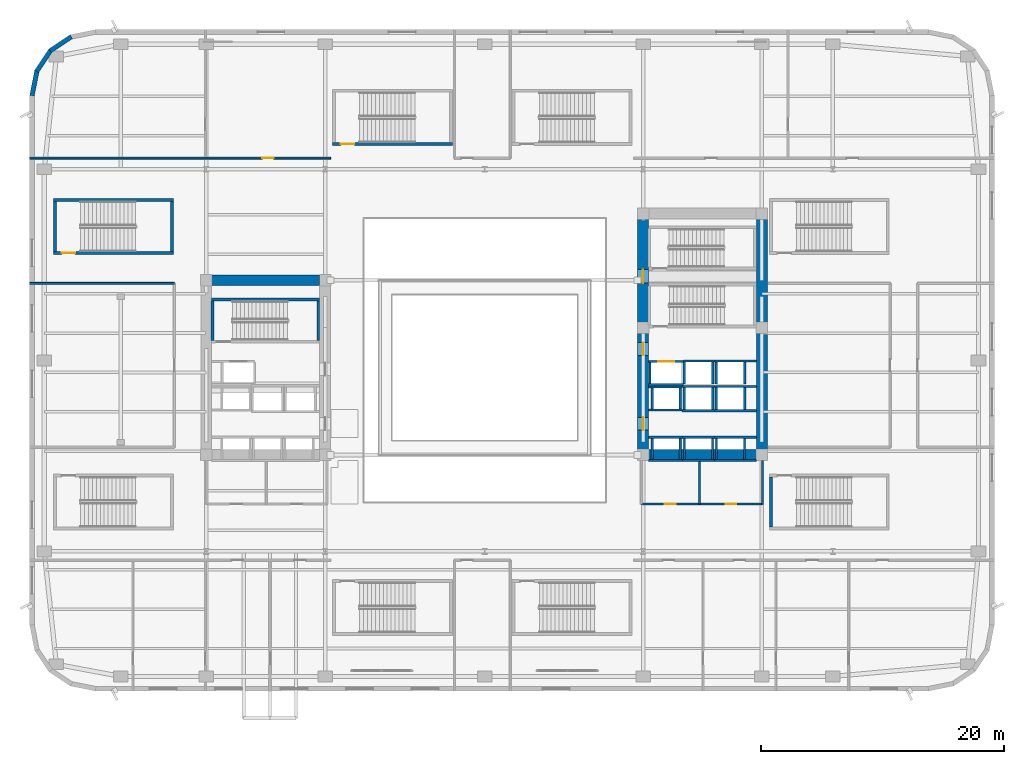
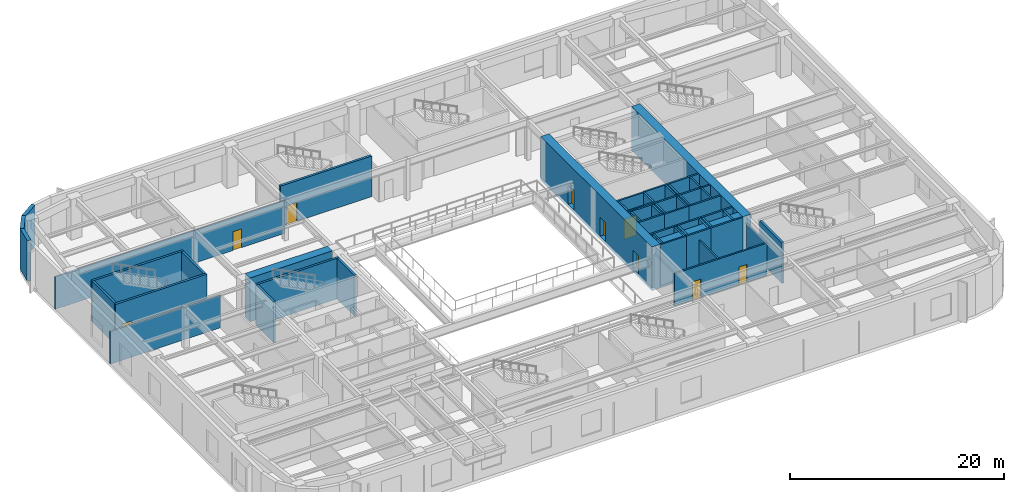
# One storey, part 9 of 24: 54 walls, 9 doors, 9 openings.
"""IFC4 building model written with IfcOpenShell, lengths in metres."""

from ifc_helpers import new_model, si_unit, direction, frame, frame_2d, origin, place, context, subcontext, project, spatial, rectangle, extrude, material, layer, layer_set, type_object, element, fill, save


model = new_model("IFC4")

# Units and contexts
model_context = context("Model", 3, precision=1e-05, world=origin(), true_north=direction((0.0, 1.0)))
body_context = subcontext(model_context, "Body", "Model", "MODEL_VIEW")
ifc_project = project(units=[si_unit("LENGTHUNIT", "METRE"), si_unit("AREAUNIT", "SQUARE_METRE"), si_unit("VOLUMEUNIT", "CUBIC_METRE"), si_unit("PLANEANGLEUNIT", "RADIAN"), si_unit("MASSUNIT", "GRAM", prefix="KILO")], contexts=[model_context])

# Site, building, storey
site_placement = place(None, origin())
site = spatial("IfcSite", under=ifc_project, at=site_placement, CompositionType="ELEMENT")
building_placement = place(site_placement, origin())
building = spatial("IfcBuilding", under=site, at=building_placement, Name="Kolvaren Arena Tower", CompositionType="ELEMENT")
storey_placement = place(building_placement, frame((0.0, 0.0, 23.0)))
storey = spatial("IfcBuildingStorey", under=building, at=storey_placement, Name="L04", CompositionType="ELEMENT", Elevation=23.0)

# Wall
ifc_material_1 = material(Name="Gypsum board acoustic assembly", Category="gypsum")
ifc_layer_1 = layer(ifc_material_1, 0.159912109375)
ifc_layer_set_1 = layer_set([ifc_layer_1], Name="Gypsum board acoustic assembly")
wall_type_1 = type_object("IfcWallType", Name="CORR-160", PredefinedType="PARTITIONING", material=ifc_layer_set_1)
wall_1_placement = place(storey_placement, frame((0.0, 33.60009765625, 0.0), z_axis=(0.0, 0.0, 1.0), x_axis=(1.0, 0.0, 0.0)))
element("IfcWall", 1, at=wall_1_placement, inside=storey, type_object=wall_type_1, Name="Interior Partition Wall (L04)", PredefinedType="PARTITIONING", context=body_context, shape_type="SweptSolid", body=[
    extrude(rectangle(XDim=11.919921875, YDim=0.159912109375, at=frame_2d((5.9599609375, 0.0))), origin(), (0.0, 0.0, 1.0), 3.7099609375),
])

# Wall, opening, door
wall_2_placement = place(storey_placement, frame((0.0, 43.919921875, 0.0), z_axis=(0.0, 0.0, 1.0), x_axis=(1.0, 0.0, 0.0)))
wall_2 = element("IfcWall", 2, at=wall_2_placement, inside=storey, type_object=wall_type_1, Name="Interior Partition Wall (L04)", PredefinedType="PARTITIONING", context=body_context, shape_type="SweptSolid", body=[
    extrude(rectangle(XDim=24.800048828125, YDim=0.159912109375, at=frame_2d((12.39990234375, 0.0))), origin(), (0.0, 0.0, 1.0), 3.7099609375),
])
opening_1_placement = place(wall_2_placement, frame((19.169921875, 0.0, 0.0)))
opening_1 = element("IfcOpeningElement", 3, at=opening_1_placement, cuts=wall_2, Name="Opening D05", PredefinedType="OPENING", context=body_context, shape_type="SweptSolid", body=[
    extrude(rectangle(XDim=0.949951171875, YDim=2.14990234375, at=frame_2d((0.47509765625, 1.074951171875))), frame((0.0, 0.08984375, 0.0), z_axis=(0.0, -1.0, 0.0), x_axis=(1.0, 0.0, 0.0)), (0.0, 0.0, 1.0), 0.179931640625),
])
ifc_material_2 = material(Name="Solid-core oak acoustic office door", Category="wood")
door_type_1 = type_object("IfcDoorType", Name="DOOR-OF-095", OperationType="NOTDEFINED", PredefinedType="DOOR", material=ifc_material_2)
door_1_placement = place(opening_1_placement, origin())
door_1 = element("IfcDoor", 4, at=door_1_placement, inside=storey, type_object=door_type_1, Name="North-West Spectator Club Door (L04)", OperationType="SINGLE_SWING_RIGHT", OverallHeight=2.14990234375, OverallWidth=0.949951171875, PredefinedType="DOOR", context=body_context, shape_type="SweptSolid", body=[
    extrude(rectangle(XDim=0.949951171875, YDim=2.14990234375, at=frame_2d((0.47509765625, 1.074951171875))), frame((0.0, 0.02490234375, 0.0), z_axis=(0.0, -1.0, 0.0), x_axis=(1.0, 0.0, 0.0)), (0.0, 0.0, 1.0), 0.050048828125),
])
fill(opening_1, door_1)

# Wall
ifc_material_3 = material(Name="Concrete 80 MPa", Category="concrete")
ifc_layer_2 = layer(ifc_material_3, 0.89990234375)
ifc_layer_set_2 = layer_set([ifc_layer_2], Name="Concrete 80 MPa")
wall_type_2 = type_object("IfcWallType", Name="CWALL-900", PredefinedType="SHEAR", material=ifc_layer_set_2)
wall_3_placement = place(storey_placement, frame((15.0, 33.85009765625, -0.35009765625), z_axis=(0.0, 0.0, 1.0), x_axis=(1.0, 0.0, 0.0)))
element("IfcWall", 5, at=wall_3_placement, inside=storey, type_object=wall_type_2, Name="Core Shear Wall WC-NORTH (L04)", PredefinedType="SHEAR", context=body_context, shape_type="SweptSolid", body=[
    extrude(rectangle(XDim=8.89990234375, YDim=0.89990234375, at=frame_2d((4.449951171875, 0.0))), origin(), (0.0, 0.0, 1.0), 5.0),
])

# Wall, openings, doors
wall_4_placement = place(storey_placement, frame((50.550048828125, 19.0, -0.35009765625), z_axis=(0.0, 0.0, 1.0), x_axis=(0.0, 1.0, 0.0)))
wall_4 = element("IfcWall", 6, at=wall_4_placement, inside=storey, type_object=wall_type_2, Name="Core Shear Wall EC-WEST (L04)", PredefinedType="SHEAR", context=body_context, shape_type="SweptSolid", body=[
    extrude(rectangle(XDim=20.800048828125, YDim=0.89990234375, at=frame_2d((10.39990234375, 0.0))), origin(), (0.0, 0.0, 1.0), 5.0),
])
opening_2_placement = place(wall_4_placement, frame((2.5, 0.0, 0.35009765625)))
opening_2 = element("IfcOpeningElement", 7, at=opening_2_placement, cuts=wall_4, Name="Opening D04", PredefinedType="OPENING", context=body_context, shape_type="SweptSolid", body=[
    extrude(rectangle(XDim=1.050048828125, YDim=2.14990234375, at=frame_2d((0.52490234375, 1.074951171875))), frame((0.0, 0.4599609375, 0.0), z_axis=(0.0, -1.0, 0.0), x_axis=(1.0, 0.0, 0.0)), (0.0, 0.0, 1.0), 0.919921875),
])
opening_3_placement = place(wall_4_placement, frame((8.64990234375, 0.0, 0.35009765625)))
opening_3 = element("IfcOpeningElement", 8, at=opening_3_placement, cuts=wall_4, Name="Opening D04", PredefinedType="OPENING", context=body_context, shape_type="SweptSolid", body=[
    extrude(rectangle(XDim=1.050048828125, YDim=2.14990234375, at=frame_2d((0.52490234375, 1.074951171875))), frame((0.0, 0.4599609375, 0.0), z_axis=(0.0, -1.0, 0.0), x_axis=(1.0, 0.0, 0.0)), (0.0, 0.0, 1.0), 0.919921875),
])
opening_4_placement = place(wall_4_placement, frame((14.6201171875, 0.0, 0.35009765625)))
opening_4 = element("IfcOpeningElement", 9, at=opening_4_placement, cuts=wall_4, Name="Opening D03", PredefinedType="OPENING", context=body_context, shape_type="SweptSolid", body=[
    extrude(rectangle(XDim=1.10009765625, YDim=2.14990234375, at=frame_2d((0.550048828125, 1.074951171875))), frame((0.0, 0.4599609375, 0.0), z_axis=(0.0, -1.0, 0.0), x_axis=(1.0, 0.0, 0.0)), (0.0, 0.0, 1.0), 0.919921875),
])
ifc_material_4 = material(Name="Fire-rated steel lobby door", Category="steel")
door_type_2 = type_object("IfcDoorType", Name="DOOR-FF-105", OperationType="NOTDEFINED", PredefinedType="DOOR", material=ifc_material_4)
door_2_placement = place(opening_2_placement, origin())
door_2 = element("IfcDoor", 10, at=door_2_placement, inside=storey, type_object=door_type_2, Name="East Lift Lobby Fire Door (L04)", OperationType="SINGLE_SWING_RIGHT", OverallHeight=2.14990234375, OverallWidth=1.050048828125, PredefinedType="DOOR", context=body_context, shape_type="SweptSolid", body=[
    extrude(rectangle(XDim=1.050048828125, YDim=2.14990234375, at=frame_2d((0.52490234375, 1.074951171875))), frame((0.0, 0.02490234375, 0.0), z_axis=(0.0, -1.0, 0.0), x_axis=(1.0, 0.0, 0.0)), (0.0, 0.0, 1.0), 0.050048828125),
])
fill(opening_2, door_2)
door_3_placement = place(opening_3_placement, origin())
door_3 = element("IfcDoor", 11, at=door_3_placement, inside=storey, type_object=door_type_2, Name="East Firefighter Vestibule Door (L04)", OperationType="SINGLE_SWING_LEFT", OverallHeight=2.14990234375, OverallWidth=1.050048828125, PredefinedType="DOOR", context=body_context, shape_type="SweptSolid", body=[
    extrude(rectangle(XDim=1.050048828125, YDim=2.14990234375, at=frame_2d((0.52490234375, 1.074951171875))), frame((0.0, 0.02490234375, 0.0), z_axis=(0.0, -1.0, 0.0), x_axis=(1.0, 0.0, 0.0)), (0.0, 0.0, 1.0), 0.050048828125),
])
fill(opening_3, door_3)
ifc_material_5 = material(Name="Fire-rated steel exit stair door", Category="steel")
door_type_3 = type_object("IfcDoorType", Name="DOOR-ST-110", OperationType="NOTDEFINED", PredefinedType="DOOR", material=ifc_material_5)
door_4_placement = place(opening_4_placement, origin())
door_4 = element("IfcDoor", 12, at=door_4_placement, inside=storey, type_object=door_type_3, Name="Stair ST-E2 Vestibule Fire Door (L04)", OperationType="SINGLE_SWING_LEFT", OverallHeight=2.14990234375, OverallWidth=1.10009765625, PredefinedType="DOOR", context=body_context, shape_type="SweptSolid", body=[
    extrude(rectangle(XDim=1.10009765625, YDim=2.14990234375, at=frame_2d((0.550048828125, 1.074951171875))), frame((0.0, 0.02490234375, 0.0), z_axis=(0.0, -1.0, 0.0), x_axis=(1.0, 0.0, 0.0)), (0.0, 0.0, 1.0), 0.050048828125),
])
fill(opening_4, door_4)

# Walls
wall_5_placement = place(storey_placement, frame((60.35009765625, 19.0, -0.35009765625), z_axis=(0.0, 0.0, 1.0), x_axis=(0.0, 1.0, 0.0)))
element("IfcWall", 13, at=wall_5_placement, inside=storey, type_object=wall_type_2, Name="Core Shear Wall EC-EAST (L04)", PredefinedType="SHEAR", context=body_context, shape_type="SweptSolid", body=[
    extrude(rectangle(XDim=20.800048828125, YDim=0.89990234375, at=frame_2d((10.39990234375, 0.0))), origin(), (0.0, 0.0, 1.0), 5.0),
])
wall_6_placement = place(storey_placement, frame((51.0, 19.449951171875, -0.35009765625), z_axis=(0.0, 0.0, 1.0), x_axis=(1.0, 0.0, 0.0)))
element("IfcWall", 14, at=wall_6_placement, inside=storey, type_object=wall_type_2, Name="Core Shear Wall EC-SOUTH (L04)", PredefinedType="SHEAR", context=body_context, shape_type="SweptSolid", body=[
    extrude(rectangle(XDim=8.89990234375, YDim=0.89990234375, at=frame_2d((4.449951171875, 0.0))), origin(), (0.0, 0.0, 1.0), 5.0),
])
ifc_material_6 = material(Name="Precast concrete C50/60", Category="concrete")
ifc_layer_3 = layer(ifc_material_6, 0.3798828125)
ifc_layer_set_3 = layer_set([ifc_layer_3], Name="Precast concrete C50/60")
wall_type_3 = type_object("IfcWallType", Name="EXT-ARENA", PredefinedType="SOLIDWALL", material=ifc_layer_set_3)
for number, where, z_axis, x_axis, name in (
    (15, (1.687255859375, 52.760498046875, 0.0), (0.0, 0.0, 1.0), (0.831515102434, 0.555502146192, 0.0), "Exterior Precast Masonry-Frame Wall (L04)"),
    (16, (0.569091796875, 51.060791015625, 0.0), (0.0, 0.0, 1.0), (0.555502146192, 0.831515102434, 0.0), "Exterior Precast Masonry-Frame Wall (L04)"),
    (17, (0.186279296875, 49.06298828125, 0.0), (0.0, 0.0, 1.0), (0.195135546048, 0.9807762837, 0.0), "Exterior Precast Masonry-Frame Wall (L04)"),
):
    element("IfcWall", number, at=place(storey_placement, frame(where, z_axis=z_axis, x_axis=x_axis)), inside=storey, type_object=wall_type_3, Name=name, PredefinedType="SOLIDWALL", context=body_context, shape_type="SweptSolid", body=[
        extrude(rectangle(XDim=2.10693359375, YDim=0.3798828125, at=frame_2d((1.053466796875, 0.0))), origin(), (0.0, 0.0, 1.0), 4.64990234375),
    ])
ifc_material_7 = material(Name="Concrete 45 MPa", Category="concrete")
ifc_layer_4 = layer(ifc_material_7, 0.25)
ifc_layer_set_4 = layer_set([ifc_layer_4], Name="Concrete 45 MPa")
wall_type_4 = type_object("IfcWallType", Name="SHAFT-250", PredefinedType="SOLIDWALL", material=ifc_layer_set_4)
wall_7_placement = place(storey_placement, frame((61.080078125, 13.5, 0.0), z_axis=(0.0, 0.0, 1.0), x_axis=(0.0, 1.0, 0.0)))
element("IfcWall", 18, at=wall_7_placement, inside=storey, type_object=wall_type_4, Name="Stair ST-A4 West Shaft Wall (L04)", PredefinedType="SOLIDWALL", context=body_context, shape_type="SweptSolid", body=[
    extrude(rectangle(XDim=4.14990234375, YDim=0.239990234375, at=frame_2d((2.074951171875, 0.0))), origin(), (0.0, 0.0, 1.0), 4.64990234375),
])

# Wall, opening, door
wall_8_placement = place(storey_placement, frame((11.840087890625, 36.080078125, 0.0), z_axis=(0.0, 0.0, 1.0), x_axis=(-1.0, 0.0, 0.0)))
wall_8 = element("IfcWall", 19, at=wall_8_placement, inside=storey, type_object=wall_type_4, Name="Stair ST-A5 Rated Enclosure Wall (L04)", PredefinedType="SOLIDWALL", context=body_context, shape_type="SweptSolid", body=[
    extrude(rectangle(XDim=9.880126953125, YDim=0.239990234375, at=frame_2d((4.93994140625, 0.0))), origin(), (0.0, 0.0, 1.0), 4.64990234375),
])
opening_5_placement = place(wall_8_placement, frame((8.090087890625, 0.0, 0.0)))
opening_5 = element("IfcOpeningElement", 20, at=opening_5_placement, cuts=wall_8, Name="Opening D03", PredefinedType="OPENING", context=body_context, shape_type="SweptSolid", body=[
    extrude(rectangle(XDim=1.10009765625, YDim=2.14990234375, at=frame_2d((0.550048828125, 1.074951171875))), frame((0.0, 0.1298828125, 0.0), z_axis=(0.0, -1.0, 0.0), x_axis=(1.0, 0.0, 0.0)), (0.0, 0.0, 1.0), 0.260009765625),
])
door_5_placement = place(opening_5_placement, origin())
door_5 = element("IfcDoor", 21, at=door_5_placement, inside=storey, type_object=door_type_3, Name="Exit Stair ST-A5 Fire Door (L04)", OperationType="SINGLE_SWING_LEFT", OverallHeight=2.14990234375, OverallWidth=1.10009765625, PredefinedType="DOOR", context=body_context, shape_type="SweptSolid", body=[
    extrude(rectangle(XDim=1.10009765625, YDim=2.14990234375, at=frame_2d((0.550048828125, 1.074951171875))), frame((0.0, 0.02490234375, 0.0), z_axis=(0.0, -1.0, 0.0), x_axis=(1.0, 0.0, 0.0)), (0.0, 0.0, 1.0), 0.050048828125),
])
fill(opening_5, door_5)

# Walls
wall_9_placement = place(storey_placement, frame((1.9599609375, 40.469970703125, 0.0), z_axis=(0.0, 0.0, 1.0), x_axis=(1.0, 0.0, 0.0)))
element("IfcWall", 22, at=wall_9_placement, inside=storey, type_object=wall_type_4, Name="Stair ST-A5 Rear Shaft Wall (L04)", PredefinedType="SOLIDWALL", context=body_context, shape_type="SweptSolid", body=[
    extrude(rectangle(XDim=9.880126953125, YDim=0.239990234375, at=frame_2d((4.93994140625, 0.0))), origin(), (0.0, 0.0, 1.0), 4.64990234375),
])
for number, where, z_axis, x_axis, name in (
    (23, (2.080078125, 36.199951171875, 0.0), (0.0, 0.0, 1.0), (0.0, 1.0, 0.0), "Stair ST-A5 West Shaft Wall (L04)"),
    (24, (11.719970703125, 36.199951171875, 0.0), (0.0, 0.0, 1.0), (0.0, 1.0, 0.0), "Stair ST-A5 East Shaft Wall (L04)"),
):
    element("IfcWall", number, at=place(storey_placement, frame(where, z_axis=z_axis, x_axis=x_axis)), inside=storey, type_object=wall_type_4, Name=name, PredefinedType="SOLIDWALL", context=body_context, shape_type="SweptSolid", body=[
        extrude(rectangle(XDim=4.150146484375, YDim=0.239990234375, at=frame_2d((2.0751953125, 0.0))), origin(), (0.0, 0.0, 1.0), 4.64990234375),
    ])

# Wall, opening, door
wall_10_placement = place(storey_placement, frame((34.840087890625, 45.080078125, 0.0), z_axis=(0.0, 0.0, 1.0), x_axis=(-1.0, 0.0, 0.0)))
wall_10 = element("IfcWall", 25, at=wall_10_placement, inside=storey, type_object=wall_type_4, Name="Stair ST-A6 Rated Enclosure Wall (L04)", PredefinedType="SOLIDWALL", context=body_context, shape_type="SweptSolid", body=[
    extrude(rectangle(XDim=9.880126953125, YDim=0.239990234375, at=frame_2d((4.93994140625, 0.0))), origin(), (0.0, 0.0, 1.0), 4.64990234375),
])
opening_6_placement = place(wall_10_placement, frame((8.090087890625, 0.0, 0.0)))
opening_6 = element("IfcOpeningElement", 26, at=opening_6_placement, cuts=wall_10, Name="Opening D03", PredefinedType="OPENING", context=body_context, shape_type="SweptSolid", body=[
    extrude(rectangle(XDim=1.10009765625, YDim=2.14990234375, at=frame_2d((0.550048828125, 1.074951171875))), frame((0.0, 0.1298828125, 0.0), z_axis=(0.0, -1.0, 0.0), x_axis=(1.0, 0.0, 0.0)), (0.0, 0.0, 1.0), 0.260009765625),
])
door_6_placement = place(opening_6_placement, origin())
door_6 = element("IfcDoor", 27, at=door_6_placement, inside=storey, type_object=door_type_3, Name="Exit Stair ST-A6 Fire Door (L04)", OperationType="SINGLE_SWING_LEFT", OverallHeight=2.14990234375, OverallWidth=1.10009765625, PredefinedType="DOOR", context=body_context, shape_type="SweptSolid", body=[
    extrude(rectangle(XDim=1.10009765625, YDim=2.14990234375, at=frame_2d((0.550048828125, 1.074951171875))), frame((0.0, 0.02490234375, 0.0), z_axis=(0.0, -1.0, 0.0), x_axis=(1.0, 0.0, 0.0)), (0.0, 0.0, 1.0), 0.050048828125),
])
fill(opening_6, door_6)

# Walls
wall_11_placement = place(storey_placement, frame((15.0, 32.25, 0.0), z_axis=(0.0, 0.0, 1.0), x_axis=(1.0, 0.0, 0.0)))
element("IfcWall", 28, at=wall_11_placement, inside=storey, type_object=wall_type_4, Name="Core Shaft Wall (L04)", PredefinedType="SOLIDWALL", context=body_context, shape_type="SweptSolid", body=[
    extrude(rectangle(XDim=8.89990234375, YDim=0.239990234375, at=frame_2d((4.449951171875, 0.0))), origin(), (0.0, 0.0, 1.0), 4.64990234375),
])
for number, where, z_axis, x_axis, name in (
    (29, (15.06005859375, 28.89990234375, 0.0), (0.0, 0.0, 1.0), (0.0, 1.0, 0.0), "Core Shaft Wall (L04)"),
    (30, (23.780029296875, 28.89990234375, 0.0), (0.0, 0.0, 1.0), (0.0, 1.0, 0.0), "Core Shaft Wall (L04)"),
):
    element("IfcWall", number, at=place(storey_placement, frame(where, z_axis=z_axis, x_axis=x_axis)), inside=storey, type_object=wall_type_4, Name=name, PredefinedType="SOLIDWALL", context=body_context, shape_type="SweptSolid", body=[
        extrude(rectangle(XDim=3.22998046875, YDim=0.239990234375, at=frame_2d((1.614990234375, 0.0))), origin(), (0.0, 0.0, 1.0), 4.64990234375),
    ])
for number, where, z_axis, x_axis, name in (
    (31, (51.0, 20.905029296875, 0.0), (0.0, 0.0, 1.0), (1.0, 0.0, 0.0), "Core Shaft Wall (L04)"),
    (32, (51.0, 18.9951171875, 0.0), (0.0, 0.0, 1.0), (1.0, 0.0, 0.0), "Core Shaft Wall (L04)"),
):
    element("IfcWall", number, at=place(storey_placement, frame(where, z_axis=z_axis, x_axis=x_axis)), inside=storey, type_object=wall_type_4, Name=name, PredefinedType="SOLIDWALL", context=body_context, shape_type="SweptSolid", body=[
        extrude(rectangle(XDim=2.7900390625, YDim=0.179931640625, at=frame_2d((1.39501953125, 0.0))), origin(), (0.0, 0.0, 1.0), 4.64990234375),
    ])
for number, where, z_axis, x_axis, name in (
    (33, (51.304931640625, 19.0849609375, 0.0), (0.0, 0.0, 1.0), (0.0, 1.0, 0.0), "Core Shaft Wall (L04)"),
    (34, (53.614990234375, 19.0849609375, 0.0), (0.0, 0.0, 1.0), (0.0, 1.0, 0.0), "Core Shaft Wall (L04)"),
):
    element("IfcWall", number, at=place(storey_placement, frame(where, z_axis=z_axis, x_axis=x_axis)), inside=storey, type_object=wall_type_4, Name=name, PredefinedType="SOLIDWALL", context=body_context, shape_type="SweptSolid", body=[
        extrude(rectangle(XDim=1.72998046875, YDim=0.179931640625, at=frame_2d((0.864990234375, 0.0))), origin(), (0.0, 0.0, 1.0), 4.64990234375),
    ])
for number, where, z_axis, x_axis, name in (
    (35, (53.7900390625, 20.905029296875, 0.0), (0.0, 0.0, 1.0), (1.0, 0.0, 0.0), "Core Shaft Wall (L04)"),
    (36, (53.7900390625, 18.9951171875, 0.0), (0.0, 0.0, 1.0), (1.0, 0.0, 0.0), "Core Shaft Wall (L04)"),
):
    element("IfcWall", number, at=place(storey_placement, frame(where, z_axis=z_axis, x_axis=x_axis)), inside=storey, type_object=wall_type_4, Name=name, PredefinedType="SOLIDWALL", context=body_context, shape_type="SweptSolid", body=[
        extrude(rectangle(XDim=2.64990234375, YDim=0.179931640625, at=frame_2d((1.324951171875, 0.0))), origin(), (0.0, 0.0, 1.0), 4.64990234375),
    ])
for number, where, z_axis, x_axis, name in (
    (37, (53.965087890625, 19.0849609375, 0.0), (0.0, 0.0, 1.0), (0.0, 1.0, 0.0), "Core Shaft Wall (L04)"),
    (38, (56.27490234375, 19.0849609375, 0.0), (0.0, 0.0, 1.0), (0.0, 1.0, 0.0), "Core Shaft Wall (L04)"),
):
    element("IfcWall", number, at=place(storey_placement, frame(where, z_axis=z_axis, x_axis=x_axis)), inside=storey, type_object=wall_type_4, Name=name, PredefinedType="SOLIDWALL", context=body_context, shape_type="SweptSolid", body=[
        extrude(rectangle(XDim=1.72998046875, YDim=0.179931640625, at=frame_2d((0.864990234375, 0.0))), origin(), (0.0, 0.0, 1.0), 4.64990234375),
    ])
for number, where, z_axis, x_axis, name in (
    (39, (56.43994140625, 20.905029296875, 0.0), (0.0, 0.0, 1.0), (1.0, 0.0, 0.0), "Core Shaft Wall (L04)"),
    (40, (56.43994140625, 18.9951171875, 0.0), (0.0, 0.0, 1.0), (1.0, 0.0, 0.0), "Core Shaft Wall (L04)"),
):
    element("IfcWall", number, at=place(storey_placement, frame(where, z_axis=z_axis, x_axis=x_axis)), inside=storey, type_object=wall_type_4, Name=name, PredefinedType="SOLIDWALL", context=body_context, shape_type="SweptSolid", body=[
        extrude(rectangle(XDim=3.4599609375, YDim=0.179931640625, at=frame_2d((1.72998046875, 0.0))), origin(), (0.0, 0.0, 1.0), 4.64990234375),
    ])
for number, where, z_axis, x_axis, name in (
    (41, (56.60498046875, 19.0849609375, 0.0), (0.0, 0.0, 1.0), (0.0, 1.0, 0.0), "Core Shaft Wall (L04)"),
    (42, (58.9150390625, 19.0849609375, 0.0), (0.0, 0.0, 1.0), (0.0, 1.0, 0.0), "Core Shaft Wall (L04)"),
):
    element("IfcWall", number, at=place(storey_placement, frame(where, z_axis=z_axis, x_axis=x_axis)), inside=storey, type_object=wall_type_4, Name=name, PredefinedType="SOLIDWALL", context=body_context, shape_type="SweptSolid", body=[
        extrude(rectangle(XDim=1.72998046875, YDim=0.179931640625, at=frame_2d((0.864990234375, 0.0))), origin(), (0.0, 0.0, 1.0), 4.64990234375),
    ])
for number, where, z_axis, x_axis, name in (
    (43, (51.0, 25.054931640625, 0.0), (0.0, 0.0, 1.0), (1.0, 0.0, 0.0), "Core Shaft Wall (L04)"),
    (44, (51.0, 23.14501953125, 0.0), (0.0, 0.0, 1.0), (1.0, 0.0, 0.0), "Core Shaft Wall (L04)"),
):
    element("IfcWall", number, at=place(storey_placement, frame(where, z_axis=z_axis, x_axis=x_axis)), inside=storey, type_object=wall_type_4, Name=name, PredefinedType="SOLIDWALL", context=body_context, shape_type="SweptSolid", body=[
        extrude(rectangle(XDim=2.777587890625, YDim=0.179931640625, at=frame_2d((1.388671875, 0.0))), origin(), (0.0, 0.0, 1.0), 4.64990234375),
    ])
for number, where, z_axis, x_axis, name in (
    (45, (51.304931640625, 23.235107421875, 0.0), (0.0, 0.0, 1.0), (0.0, 1.0, 0.0), "Core Shaft Wall (L04)"),
    (46, (53.614990234375, 23.235107421875, 0.0), (0.0, 0.0, 1.0), (0.0, 1.0, 0.0), "Core Shaft Wall (L04)"),
):
    element("IfcWall", number, at=place(storey_placement, frame(where, z_axis=z_axis, x_axis=x_axis)), inside=storey, type_object=wall_type_4, Name=name, PredefinedType="SOLIDWALL", context=body_context, shape_type="SweptSolid", body=[
        extrude(rectangle(XDim=1.72998046875, YDim=0.179931640625, at=frame_2d((0.864990234375, 0.0))), origin(), (0.0, 0.0, 1.0), 4.64990234375),
    ])
for number, where, z_axis, x_axis, name in (
    (47, (53.777587890625, 25.10498046875, 0.0), (0.0, 0.0, 1.0), (1.0, 0.0, 0.0), "Core Shaft Wall (L04)"),
    (48, (53.777587890625, 23.094970703125, 0.0), (0.0, 0.0, 1.0), (1.0, 0.0, 0.0), "Core Shaft Wall (L04)"),
):
    element("IfcWall", number, at=place(storey_placement, frame(where, z_axis=z_axis, x_axis=x_axis)), inside=storey, type_object=wall_type_4, Name=name, PredefinedType="SOLIDWALL", context=body_context, shape_type="SweptSolid", body=[
        extrude(rectangle(XDim=2.662353515625, YDim=0.179931640625, at=frame_2d((1.3310546875, 0.0))), origin(), (0.0, 0.0, 1.0), 4.64990234375),
    ])
for number, where, z_axis, x_axis, name in (
    (49, (53.93994140625, 23.18505859375, 0.0), (0.0, 0.0, 1.0), (0.0, 1.0, 0.0), "Core Shaft Wall (L04)"),
    (50, (56.300048828125, 23.18505859375, 0.0), (0.0, 0.0, 1.0), (0.0, 1.0, 0.0), "Core Shaft Wall (L04)"),
):
    element("IfcWall", number, at=place(storey_placement, frame(where, z_axis=z_axis, x_axis=x_axis)), inside=storey, type_object=wall_type_4, Name=name, PredefinedType="SOLIDWALL", context=body_context, shape_type="SweptSolid", body=[
        extrude(rectangle(XDim=1.829833984375, YDim=0.179931640625, at=frame_2d((0.9150390625, 0.0))), origin(), (0.0, 0.0, 1.0), 4.64990234375),
    ])
for number, where, z_axis, x_axis, name in (
    (51, (56.43994140625, 25.10498046875, 0.0), (0.0, 0.0, 1.0), (1.0, 0.0, 0.0), "Core Shaft Wall (L04)"),
    (52, (56.43994140625, 23.094970703125, 0.0), (0.0, 0.0, 1.0), (1.0, 0.0, 0.0), "Core Shaft Wall (L04)"),
):
    element("IfcWall", number, at=place(storey_placement, frame(where, z_axis=z_axis, x_axis=x_axis)), inside=storey, type_object=wall_type_4, Name=name, PredefinedType="SOLIDWALL", context=body_context, shape_type="SweptSolid", body=[
        extrude(rectangle(XDim=3.4599609375, YDim=0.179931640625, at=frame_2d((1.72998046875, 0.0))), origin(), (0.0, 0.0, 1.0), 4.64990234375),
    ])
for number, where, z_axis, x_axis, name in (
    (53, (56.580078125, 23.18505859375, 0.0), (0.0, 0.0, 1.0), (0.0, 1.0, 0.0), "Core Shaft Wall (L04)"),
    (54, (58.93994140625, 23.18505859375, 0.0), (0.0, 0.0, 1.0), (0.0, 1.0, 0.0), "Core Shaft Wall (L04)"),
):
    element("IfcWall", number, at=place(storey_placement, frame(where, z_axis=z_axis, x_axis=x_axis)), inside=storey, type_object=wall_type_4, Name=name, PredefinedType="SOLIDWALL", context=body_context, shape_type="SweptSolid", body=[
        extrude(rectangle(XDim=1.829833984375, YDim=0.179931640625, at=frame_2d((0.9150390625, 0.0))), origin(), (0.0, 0.0, 1.0), 4.64990234375),
    ])
wall_12_placement = place(storey_placement, frame((53.864990234375, 27.205078125, 0.0), z_axis=(0.0, 0.0, 1.0), x_axis=(1.0, 0.0, 0.0)))
element("IfcWall", 55, at=wall_12_placement, inside=storey, type_object=wall_type_4, Name="Core Shaft Wall (L04)", PredefinedType="SOLIDWALL", context=body_context, shape_type="SweptSolid", body=[
    extrude(rectangle(XDim=2.574951171875, YDim=0.179931640625, at=frame_2d((1.28759765625, 0.0))), origin(), (0.0, 0.0, 1.0), 4.64990234375),
])
for number, where, z_axis, x_axis, name in (
    (56, (53.93994140625, 25.284912109375, 0.0), (0.0, 0.0, 1.0), (0.0, 1.0, 0.0), "Core Shaft Wall (L04)"),
    (57, (56.300048828125, 25.284912109375, 0.0), (0.0, 0.0, 1.0), (0.0, 1.0, 0.0), "Core Shaft Wall (L04)"),
):
    element("IfcWall", number, at=place(storey_placement, frame(where, z_axis=z_axis, x_axis=x_axis)), inside=storey, type_object=wall_type_4, Name=name, PredefinedType="SOLIDWALL", context=body_context, shape_type="SweptSolid", body=[
        extrude(rectangle(XDim=1.830078125, YDim=0.179931640625, at=frame_2d((0.9150390625, 0.0))), origin(), (0.0, 0.0, 1.0), 4.64990234375),
    ])
wall_13_placement = place(storey_placement, frame((56.43994140625, 27.205078125, 0.0), z_axis=(0.0, 0.0, 1.0), x_axis=(1.0, 0.0, 0.0)))
element("IfcWall", 58, at=wall_13_placement, inside=storey, type_object=wall_type_4, Name="Core Shaft Wall (L04)", PredefinedType="SOLIDWALL", context=body_context, shape_type="SweptSolid", body=[
    extrude(rectangle(XDim=3.4599609375, YDim=0.179931640625, at=frame_2d((1.72998046875, 0.0))), origin(), (0.0, 0.0, 1.0), 4.64990234375),
])
for number, where, z_axis, x_axis, name in (
    (59, (56.580078125, 25.284912109375, 0.0), (0.0, 0.0, 1.0), (0.0, 1.0, 0.0), "Core Shaft Wall (L04)"),
    (60, (58.93994140625, 25.284912109375, 0.0), (0.0, 0.0, 1.0), (0.0, 1.0, 0.0), "Core Shaft Wall (L04)"),
):
    element("IfcWall", number, at=place(storey_placement, frame(where, z_axis=z_axis, x_axis=x_axis)), inside=storey, type_object=wall_type_4, Name=name, PredefinedType="SOLIDWALL", context=body_context, shape_type="SweptSolid", body=[
        extrude(rectangle(XDim=1.830078125, YDim=0.179931640625, at=frame_2d((0.9150390625, 0.0))), origin(), (0.0, 0.0, 1.0), 4.64990234375),
    ])

# Wall, opening, door
wall_14_placement = place(storey_placement, frame((51.0, 27.155029296875, 0.0), z_axis=(0.0, 0.0, 1.0), x_axis=(1.0, 0.0, 0.0)))
wall_14 = element("IfcWall", 61, at=wall_14_placement, inside=storey, type_object=wall_type_4, Name="Core Shaft Wall (L04)", PredefinedType="SOLIDWALL", context=body_context, shape_type="SweptSolid", body=[
    extrude(rectangle(XDim=2.864990234375, YDim=0.179931640625, at=frame_2d((1.4326171875, 0.0))), origin(), (0.0, 0.0, 1.0), 4.64990234375),
])
opening_7_placement = place(wall_14_placement, frame((0.784912109375, 0.0, 0.0)))
opening_7 = element("IfcOpeningElement", 62, at=opening_7_placement, cuts=wall_14, Name="Opening LD2", PredefinedType="OPENING", context=body_context, shape_type="SweptSolid", body=[
    extrude(rectangle(XDim=1.35009765625, YDim=2.300048828125, at=frame_2d((0.675048828125, 1.14990234375))), frame((0.0, 0.099853515625, 0.0), z_axis=(0.0, -1.0, 0.0), x_axis=(1.0, 0.0, 0.0)), (0.0, 0.0, 1.0), 0.199951171875),
])
ifc_material_8 = material(Name="Stainless steel firefighter lift landing door", Category="steel")
door_type_4 = type_object("IfcDoorType", Name="DOOR-LD-135", OperationType="DOUBLE_DOOR_SLIDING", PredefinedType="DOOR", material=ifc_material_8)
door_7_placement = place(opening_7_placement, origin())
door_7 = element("IfcDoor", 63, at=door_7_placement, inside=storey, type_object=door_type_4, Name="Firefighter Lift FF-E1 Landing Door (L04)", OperationType="DOUBLE_DOOR_SLIDING", OverallHeight=2.300048828125, OverallWidth=1.35009765625, PredefinedType="DOOR", context=body_context, shape_type="SweptSolid", body=[
    extrude(rectangle(XDim=1.35009765625, YDim=2.300048828125, at=frame_2d((0.675048828125, 1.14990234375))), frame((0.0, 0.02490234375, 0.0), z_axis=(0.0, -1.0, 0.0), x_axis=(1.0, 0.0, 0.0)), (0.0, 0.0, 1.0), 0.050048828125),
])
fill(opening_7, door_7)

# Walls
wall_15_placement = place(storey_placement, frame((51.0, 25.2451171875, 0.0), z_axis=(0.0, 0.0, 1.0), x_axis=(1.0, 0.0, 0.0)))
element("IfcWall", 64, at=wall_15_placement, inside=storey, type_object=wall_type_4, Name="Core Shaft Wall (L04)", PredefinedType="SOLIDWALL", context=body_context, shape_type="SweptSolid", body=[
    extrude(rectangle(XDim=2.864990234375, YDim=0.179931640625, at=frame_2d((1.4326171875, 0.0))), origin(), (0.0, 0.0, 1.0), 4.64990234375),
])
wall_16_placement = place(storey_placement, frame((51.1298828125, 25.3349609375, 0.0), z_axis=(0.0, 0.0, 1.0), x_axis=(0.0, 1.0, 0.0)))
element("IfcWall", 65, at=wall_16_placement, inside=storey, type_object=wall_type_4, Name="Core Shaft Wall (L04)", PredefinedType="SOLIDWALL", context=body_context, shape_type="SweptSolid", body=[
    extrude(rectangle(XDim=1.72998046875, YDim=0.179931640625, at=frame_2d((0.864990234375, 0.0))), origin(), (0.0, 0.0, 1.0), 4.64990234375),
])

# Wall, openings, doors
wall_17_placement = place(storey_placement, frame((50.39990234375, 15.39990234375, 0.0), z_axis=(0.0, 0.0, 1.0), x_axis=(1.0, 0.0, 0.0)))
wall_17 = element("IfcWall", 66, at=wall_17_placement, inside=storey, type_object=wall_type_4, Name="Interior Partition Wall (L04)", PredefinedType="SOLIDWALL", context=body_context, shape_type="SweptSolid", body=[
    extrude(rectangle(XDim=10.0, YDim=0.179931640625, at=frame_2d((5.0, 0.0))), origin(), (0.0, 0.0, 1.0), 3.7099609375),
])
opening_8_placement = place(wall_17_placement, frame((1.93994140625, 0.0, 0.0)))
opening_8 = element("IfcOpeningElement", 67, at=opening_8_placement, cuts=wall_17, Name="Opening D07", PredefinedType="OPENING", context=body_context, shape_type="SweptSolid", body=[
    extrude(rectangle(XDim=0.919921875, YDim=2.10009765625, at=frame_2d((0.4599609375, 1.050048828125))), frame((0.0, 0.099853515625, 0.0), z_axis=(0.0, -1.0, 0.0), x_axis=(1.0, 0.0, 0.0)), (0.0, 0.0, 1.0), 0.199951171875),
])
opening_9_placement = place(wall_17_placement, frame((6.969970703125, 0.0, 0.0)))
opening_9 = element("IfcOpeningElement", 68, at=opening_9_placement, cuts=wall_17, Name="Opening D09", PredefinedType="OPENING", context=body_context, shape_type="SweptSolid", body=[
    extrude(rectangle(XDim=0.860107421875, YDim=2.050048828125, at=frame_2d((0.43017578125, 1.02490234375))), frame((0.0, 0.099853515625, 0.0), z_axis=(0.0, -1.0, 0.0), x_axis=(1.0, 0.0, 0.0)), (0.0, 0.0, 1.0), 0.199951171875),
])
ifc_material_9 = material(Name="Fire-rated steel riser access door", Category="steel")
door_type_5 = type_object("IfcDoorType", Name="DOOR-RS-086", OperationType="NOTDEFINED", PredefinedType="DOOR", material=ifc_material_9)
door_8_placement = place(opening_9_placement, origin())
door_8 = element("IfcDoor", 69, at=door_8_placement, inside=storey, type_object=door_type_5, Name="Electrical Riser Closet Door (L04)", OperationType="SINGLE_SWING_LEFT", OverallHeight=2.050048828125, OverallWidth=0.860107421875, PredefinedType="DOOR", context=body_context, shape_type="SweptSolid", body=[
    extrude(rectangle(XDim=0.860107421875, YDim=2.050048828125, at=frame_2d((0.43017578125, 1.02490234375))), frame((0.0, 0.02490234375, 0.0), z_axis=(0.0, -1.0, 0.0), x_axis=(1.0, 0.0, 0.0)), (0.0, 0.0, 1.0), 0.050048828125),
])
fill(opening_9, door_8)
ifc_material_10 = material(Name="Laminate universal washroom door", Category="wood")
door_type_6 = type_object("IfcDoorType", Name="DOOR-WC-092", OperationType="NOTDEFINED", PredefinedType="DOOR", material=ifc_material_10)
door_9_placement = place(opening_8_placement, origin())
door_9 = element("IfcDoor", 70, at=door_9_placement, inside=storey, type_object=door_type_6, Name="Cleaner and Janitor Store Door (L04)", OperationType="SINGLE_SWING_RIGHT", OverallHeight=2.10009765625, OverallWidth=0.919921875, PredefinedType="DOOR", context=body_context, shape_type="SweptSolid", body=[
    extrude(rectangle(XDim=0.919921875, YDim=2.10009765625, at=frame_2d((0.4599609375, 1.050048828125))), frame((0.0, 0.02490234375, 0.0), z_axis=(0.0, -1.0, 0.0), x_axis=(1.0, 0.0, 0.0)), (0.0, 0.0, 1.0), 0.050048828125),
])
fill(opening_8, door_9)

# Walls
ifc_material_11 = material(Name="Moisture-resistant gypsum assembly", Category="gypsum")
ifc_layer_5 = layer(ifc_material_11, 0.14990234375)
ifc_layer_set_5 = layer_set([ifc_layer_5], Name="Moisture-resistant gypsum assembly")
wall_type_5 = type_object("IfcWallType", Name="WETW-150", PredefinedType="PARTITIONING", material=ifc_layer_set_5)
for number, where, z_axis, x_axis, name in (
    (71, (55.199951171875, 15.39990234375, 0.0), (0.0, 0.0, 1.0), (0.0, 1.0, 0.0), "Interior Partition Wall (L04)"),
    (72, (60.39990234375, 15.39990234375, 0.0), (0.0, 0.0, 1.0), (0.0, 1.0, 0.0), "Interior Partition Wall (L04)"),
):
    element("IfcWall", number, at=place(storey_placement, frame(where, z_axis=z_axis, x_axis=x_axis)), inside=storey, type_object=wall_type_5, Name=name, PredefinedType="PARTITIONING", context=body_context, shape_type="SweptSolid", body=[
        extrude(rectangle(XDim=3.580078125, YDim=0.14990234375, at=frame_2d((1.7900390625, 0.0))), origin(), (0.0, 0.0, 1.0), 3.7099609375),
    ])

save(model, "model.ifc")
